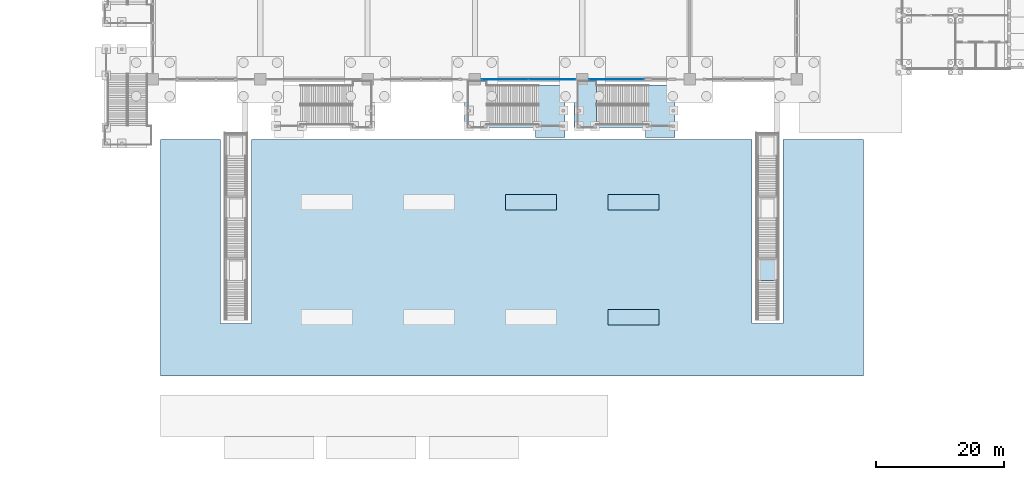
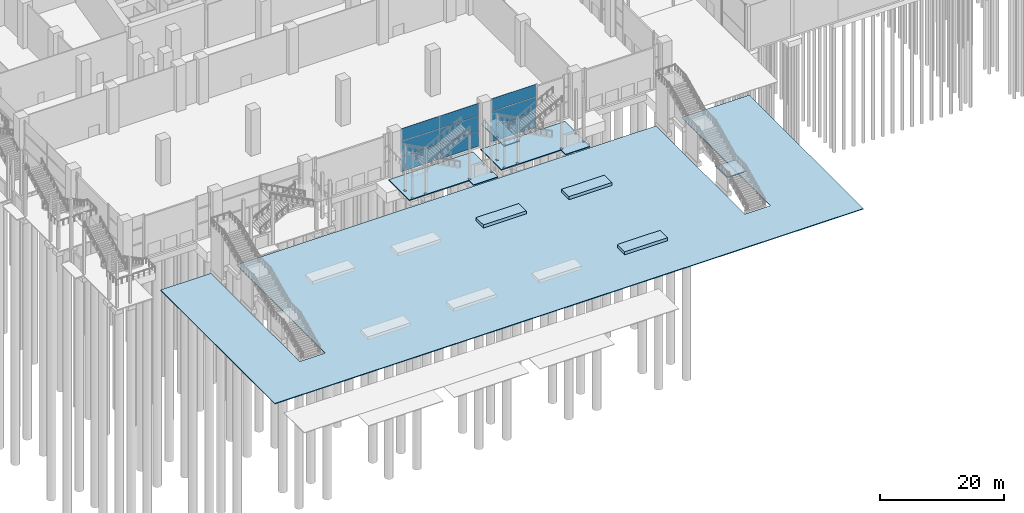
# One storey, part 32 of 72: 9 plates, 8 slabs, 4 elements without a shape of their own.
"""IFC4 building model written with IfcOpenShell, lengths in metres."""

from ifc_helpers import new_model, si_unit, direction, frame, origin, origin_2d, place, context, subcontext, project, spatial, polyline, rectangle, outline, extrude, material, layer, layer_set, type_object, element, aggregate, save


model = new_model("IFC4")

# Units and contexts
model_context = context("Model", 3, precision=1e-05, world=origin(), true_north=direction((0.0, 1.0)))
body_context = subcontext(model_context, "Body", "Model", "MODEL_VIEW")
ifc_project = project(units=[si_unit("LENGTHUNIT", "METRE"), si_unit("AREAUNIT", "SQUARE_METRE"), si_unit("VOLUMEUNIT", "CUBIC_METRE"), si_unit("PLANEANGLEUNIT", "RADIAN"), si_unit("MASSUNIT", "GRAM", prefix="KILO")], contexts=[model_context])

# Site, building, storey
site_placement = place(None, origin())
site = spatial("IfcSite", under=ifc_project, at=site_placement, CompositionType="ELEMENT")
building_placement = place(site_placement, origin())
building = spatial("IfcBuilding", under=site, at=building_placement, Name="Candeia Pilgrim Tower and Theatre", CompositionType="ELEMENT")
storey_placement = place(building_placement, origin())
storey = spatial("IfcBuildingStorey", under=building, at=storey_placement, Name="L00", CompositionType="ELEMENT", Elevation=0.0)

# Curtain wall, plates
ifc_material_1 = material(Name="Aluminium framed podium glazing", Category="aluminium")
curtain_wall_type = type_object("IfcCurtainWallType", Name="CW-P curtain wall", PredefinedType="NOTDEFINED", material=ifc_material_1)
curtain_wall_1_placement = place(storey_placement, origin())
curtain_wall_1 = element("IfcCurtainWall", 1, at=curtain_wall_1_placement, inside=storey, type_object=curtain_wall_type, Name="Curtain wall CW-P L00.311", PredefinedType="NOTDEFINED")
ifc_material_2 = material(Name="Laminated low-iron glass 2 x 8 mm", Category="glass")
ifc_layer_1 = layer(ifc_material_2, 0.035888671875)
ifc_layer_set_1 = layer_set([ifc_layer_1], Name="CW-P glass panel 36")
plate_type = type_object("IfcPlateType", Name="CW-P glass panel 36", PredefinedType="CURTAIN_PANEL", material=ifc_layer_set_1)
plate_1_placement = place(storey_placement, frame((131.35009765625, 64.39990234375, 0.0), z_axis=(0.0, 0.0, 1.0), x_axis=(-1.0, 0.0, 0.0)))
plate_1 = element("IfcPlate", 2, at=plate_1_placement, type_object=plate_type, Name="CW-P panel 1.1", PredefinedType="CURTAIN_PANEL", context=body_context, shape_type="SweptSolid", body=[
    extrude(rectangle(XDim=8.52001953125, YDim=0.035888671875, at=origin_2d()), origin(), (0.0, 0.0, 1.0), 2.9599609375),
])
plate_2_placement = place(storey_placement, frame((131.35009765625, 64.39990234375, 3.0400390625), z_axis=(0.0, 0.0, 1.0), x_axis=(-1.0, 0.0, 0.0)))
plate_2 = element("IfcPlate", 3, at=plate_2_placement, type_object=plate_type, Name="CW-P panel 1.2", PredefinedType="CURTAIN_PANEL", context=body_context, shape_type="SweptSolid", body=[
    extrude(rectangle(XDim=8.52001953125, YDim=0.035888671875, at=origin_2d()), origin(), (0.0, 0.0, 1.0), 2.919921875),
])
plate_3_placement = place(storey_placement, frame((131.35009765625, 64.39990234375, 6.0400390625), z_axis=(0.0, 0.0, 1.0), x_axis=(-1.0, 0.0, 0.0)))
plate_3 = element("IfcPlate", 4, at=plate_3_placement, type_object=plate_type, Name="CW-P panel 1.3", PredefinedType="CURTAIN_PANEL", context=body_context, shape_type="SweptSolid", body=[
    extrude(rectangle(XDim=8.52001953125, YDim=0.035888671875, at=origin_2d()), origin(), (0.0, 0.0, 1.0), 2.4599609375),
])
aggregate(curtain_wall_1, [plate_1, plate_2, plate_3])

curtain_wall_2_placement = place(storey_placement, origin())
curtain_wall_2 = element("IfcCurtainWall", 5, at=curtain_wall_2_placement, inside=storey, type_object=curtain_wall_type, Name="Curtain wall CW-P L00.320", PredefinedType="NOTDEFINED")
plate_4_placement = place(storey_placement, frame((121.27490234375, 64.39990234375, 0.0), z_axis=(0.0, 0.0, 1.0), x_axis=(-1.0, 0.0, 0.0)))
plate_4 = element("IfcPlate", 6, at=plate_4_placement, type_object=plate_type, Name="CW-P panel 1.1", PredefinedType="CURTAIN_PANEL", context=body_context, shape_type="SweptSolid", body=[
    extrude(rectangle(XDim=7.27001953125, YDim=0.035888671875, at=origin_2d()), origin(), (0.0, 0.0, 1.0), 2.9599609375),
])
plate_5_placement = place(storey_placement, frame((121.27490234375, 64.39990234375, 3.0400390625), z_axis=(0.0, 0.0, 1.0), x_axis=(-1.0, 0.0, 0.0)))
plate_5 = element("IfcPlate", 7, at=plate_5_placement, type_object=plate_type, Name="CW-P panel 1.2", PredefinedType="CURTAIN_PANEL", context=body_context, shape_type="SweptSolid", body=[
    extrude(rectangle(XDim=7.27001953125, YDim=0.035888671875, at=origin_2d()), origin(), (0.0, 0.0, 1.0), 2.919921875),
])
plate_6_placement = place(storey_placement, frame((121.27490234375, 64.39990234375, 6.0400390625), z_axis=(0.0, 0.0, 1.0), x_axis=(-1.0, 0.0, 0.0)))
plate_6 = element("IfcPlate", 8, at=plate_6_placement, type_object=plate_type, Name="CW-P panel 1.3", PredefinedType="CURTAIN_PANEL", context=body_context, shape_type="SweptSolid", body=[
    extrude(rectangle(XDim=7.27001953125, YDim=0.035888671875, at=origin_2d()), origin(), (0.0, 0.0, 1.0), 2.4599609375),
])
plate_7_placement = place(storey_placement, frame((113.925048828125, 64.39990234375, 0.0), z_axis=(0.0, 0.0, 1.0), x_axis=(-1.0, 0.0, 0.0)))
plate_7 = element("IfcPlate", 9, at=plate_7_placement, type_object=plate_type, Name="CW-P panel 2.1", PredefinedType="CURTAIN_PANEL", context=body_context, shape_type="SweptSolid", body=[
    extrude(rectangle(XDim=7.27001953125, YDim=0.035888671875, at=origin_2d()), origin(), (0.0, 0.0, 1.0), 2.9599609375),
])
plate_8_placement = place(storey_placement, frame((113.925048828125, 64.39990234375, 3.0400390625), z_axis=(0.0, 0.0, 1.0), x_axis=(-1.0, 0.0, 0.0)))
plate_8 = element("IfcPlate", 10, at=plate_8_placement, type_object=plate_type, Name="CW-P panel 2.2", PredefinedType="CURTAIN_PANEL", context=body_context, shape_type="SweptSolid", body=[
    extrude(rectangle(XDim=7.27001953125, YDim=0.035888671875, at=origin_2d()), origin(), (0.0, 0.0, 1.0), 2.919921875),
])
plate_9_placement = place(storey_placement, frame((113.925048828125, 64.39990234375, 6.0400390625), z_axis=(0.0, 0.0, 1.0), x_axis=(-1.0, 0.0, 0.0)))
plate_9 = element("IfcPlate", 11, at=plate_9_placement, type_object=plate_type, Name="CW-P panel 2.3", PredefinedType="CURTAIN_PANEL", context=body_context, shape_type="SweptSolid", body=[
    extrude(rectangle(XDim=7.27001953125, YDim=0.035888671875, at=origin_2d()), origin(), (0.0, 0.0, 1.0), 2.4599609375),
])
aggregate(curtain_wall_2, [plate_4, plate_5, plate_6, plate_7, plate_8, plate_9])

# Stair, slab
ifc_material_3 = material(Name="Concrete C35/45", Category="concrete")
stair_type_1 = type_object("IfcStairType", Name="Garden stair", PredefinedType="STRAIGHT_RUN_STAIR", material=ifc_material_3)
stair_1_placement = place(storey_placement, origin())
stair_1 = element("IfcStair", 12, at=stair_1_placement, inside=storey, type_object=stair_type_1, Name="Garden stair E", PredefinedType="STRAIGHT_RUN_STAIR")
ifc_layer_2 = layer(ifc_material_3, 0.199951171875)
ifc_layer_set_2 = layer_set([ifc_layer_2], Name="Garden stair landing 200")
slab_type_1 = type_object("IfcSlabType", Name="Garden stair landing 200", PredefinedType="LANDING", material=ifc_layer_set_2)
slab_1_placement = place(storey_placement, frame((0.0, 0.0, 2.800048828125)))
slab_1 = element("IfcSlab", 13, at=slab_1_placement, type_object=slab_type_1, Name="GS2 landing 1", PredefinedType="LANDING", context=body_context, shape_type="SweptSolid", body=[
    extrude(outline(polyline([(153.199951171875, 32.9599609375), (156.800048828125, 32.9599609375), (156.800048828125, 36.56005859375), (153.199951171875, 36.56005859375), (153.199951171875, 32.9599609375)])), origin(), (0.0, 0.0, 1.0), 0.199951171875),
])
aggregate(stair_1, [slab_1])

# Slabs
ifc_layer_3 = layer(ifc_material_3, 0.14990234375)
ifc_layer_set_3 = layer_set([ifc_layer_3], Name="Planter")
slab_type_2 = type_object("IfcSlabType", Name="Planter", PredefinedType="FLOOR", material=ifc_layer_set_3)
slab_2_placement = place(storey_placement, origin())
element("IfcSlab", 14, at=slab_2_placement, inside=storey, type_object=slab_type_2, Name="PLANTER 4", PredefinedType="FLOOR", context=body_context, shape_type="SweptSolid", body=[
    extrude(outline(polyline([(130.0, 26.0), (138.0, 26.0), (138.0, 28.39990234375), (130.0, 28.39990234375), (130.0, 26.0)])), origin(), (0.0, 0.0, 1.0), 0.60009765625),
])
slab_3_placement = place(storey_placement, origin())
element("IfcSlab", 15, at=slab_3_placement, inside=storey, type_object=slab_type_2, Name="PLANTER 7", PredefinedType="FLOOR", context=body_context, shape_type="SweptSolid", body=[
    extrude(outline(polyline([(114.0, 44.0), (122.0, 44.0), (122.0, 46.39990234375), (114.0, 46.39990234375), (114.0, 44.0)])), origin(), (0.0, 0.0, 1.0), 0.60009765625),
])
slab_4_placement = place(storey_placement, origin())
element("IfcSlab", 16, at=slab_4_placement, inside=storey, type_object=slab_type_2, Name="PLANTER 8", PredefinedType="FLOOR", context=body_context, shape_type="SweptSolid", body=[
    extrude(outline(polyline([(130.0, 44.0), (138.0, 44.0), (138.0, 46.39990234375), (130.0, 46.39990234375), (130.0, 44.0)])), origin(), (0.0, 0.0, 1.0), 0.60009765625),
])

# Stair, slab
ifc_material_4 = material(Name="Concrete C40/50", Category="concrete")
stair_type_2 = type_object("IfcStairType", Name="ST-EXT external escape stair", PredefinedType="HALF_TURN_STAIR", material=ifc_material_4)
stair_2_placement = place(storey_placement, origin())
stair_2 = element("IfcStair", 17, at=stair_2_placement, inside=storey, type_object=stair_type_2, Name="L00 External escape stair ES16", PredefinedType="HALF_TURN_STAIR")
ifc_layer_4 = layer(ifc_material_4, 0.199951171875)
ifc_layer_set_4 = layer_set([ifc_layer_4], Name="SL-EXT stair landing")
slab_type_3 = type_object("IfcSlabType", Name="SL-EXT stair landing", PredefinedType="LANDING", material=ifc_layer_set_4)
slab_5_placement = place(storey_placement, frame((0.0, 0.0, 4.300048828125)))
slab_5 = element("IfcSlab", 18, at=slab_5_placement, type_object=slab_type_3, Name="L00 External escape stair ES16 landing", PredefinedType="LANDING", context=body_context, shape_type="SweptSolid", body=[
    extrude(outline(polyline([(128.260009765625, 64.199951171875), (125.239990234375, 64.199951171875), (125.239990234375, 56.85009765625), (128.260009765625, 56.85009765625), (128.260009765625, 64.199951171875)]), holes=[polyline([(127.7900390625, 56.89990234375), (128.18994140625, 56.89990234375), (128.18994140625, 57.300048828125), (127.7900390625, 57.300048828125), (127.7900390625, 56.89990234375)]), polyline([(125.2900390625, 56.89990234375), (125.68994140625, 56.89990234375), (125.68994140625, 57.300048828125), (125.2900390625, 57.300048828125), (125.2900390625, 56.89990234375)]), polyline([(125.2900390625, 59.324951171875), (125.68994140625, 59.324951171875), (125.68994140625, 59.72509765625), (125.2900390625, 59.72509765625), (125.2900390625, 59.324951171875)])]), origin(), (0.0, 0.0, 1.0), 0.199951171875),
])
aggregate(stair_2, [slab_5])

# Slabs
ifc_layer_5 = layer(ifc_material_3, 0.14990234375)
ifc_layer_set_5 = layer_set([ifc_layer_5], Name="Site paving slab 150")
slab_type_4 = type_object("IfcSlabType", Name="Site paving slab 150", PredefinedType="USERDEFINED", material=ifc_layer_set_5)
slab_6_placement = place(storey_placement, frame((0.0, 0.0, -0.14990234375)))
element("IfcSlab", 19, at=slab_6_placement, inside=storey, type_object=slab_type_4, Name="PAVING Candeia Garden", ObjectType="PAVING", PredefinedType="USERDEFINED", context=body_context, shape_type="SweptSolid", body=[
    extrude(outline(polyline([(170.0, 18.0), (60.0, 18.0), (60.0, 55.0), (69.39990234375, 55.0), (69.39990234375, 26.239990234375), (74.199951171875, 26.239990234375), (74.199951171875, 55.0), (152.60009765625, 55.0), (152.60009765625, 26.239990234375), (157.39990234375, 26.239990234375), (157.39990234375, 55.0), (170.0, 55.0), (170.0, 18.0)])), origin(), (0.0, 0.0, 1.0), 0.14990234375),
])
ifc_layer_6 = layer(ifc_material_3, 0.199951171875)
ifc_layer_set_6 = layer_set([ifc_layer_6], Name="Stair ground slab 200")
slab_type_5 = type_object("IfcSlabType", Name="Stair ground slab 200", PredefinedType="BASESLAB", material=ifc_layer_set_6)
slab_7_placement = place(storey_placement, frame((0.0, 0.0, -0.199951171875)))
element("IfcSlab", 20, at=slab_7_placement, inside=storey, type_object=slab_type_5, Name="External escape stair ES9 ground slab", PredefinedType="BASESLAB", context=body_context, shape_type="SweptSolid", body=[
    extrude(outline(polyline([(118.699951171875, 55.35009765625), (118.699951171875, 56.85009765625), (107.5400390625, 56.85009765625), (107.5400390625, 63.5), (118.699951171875, 63.5), (119.199951171875, 63.5), (123.300048828125, 63.5), (123.300048828125, 55.35009765625), (118.699951171875, 55.35009765625)]), holes=[polyline([(108.489990234375, 56.89990234375), (108.489990234375, 57.300048828125), (108.090087890625, 57.300048828125), (108.090087890625, 56.89990234375), (108.489990234375, 56.89990234375)]), polyline([(110.590087890625, 56.89990234375), (110.989990234375, 56.89990234375), (110.989990234375, 57.300048828125), (110.590087890625, 57.300048828125), (110.590087890625, 56.89990234375)]), polyline([(118.75, 56.89990234375), (119.14990234375, 56.89990234375), (119.14990234375, 57.300048828125), (118.75, 57.300048828125), (118.75, 56.89990234375)]), polyline([(123.25, 56.89990234375), (123.25, 57.300048828125), (122.85009765625, 57.300048828125), (122.85009765625, 56.89990234375), (123.25, 56.89990234375)]), polyline([(108.090087890625, 59.324951171875), (108.489990234375, 59.324951171875), (108.489990234375, 59.72509765625), (108.090087890625, 59.72509765625), (108.090087890625, 59.324951171875)]), polyline([(122.85009765625, 59.324951171875), (123.25, 59.324951171875), (123.25, 59.72509765625), (122.85009765625, 59.72509765625), (122.85009765625, 59.324951171875)])]), origin(), (0.0, 0.0, 1.0), 0.199951171875),
])
slab_8_placement = place(storey_placement, frame((0.0, 0.0, -0.199951171875)))
element("IfcSlab", 21, at=slab_8_placement, inside=storey, type_object=slab_type_5, Name="External escape stair ES16 ground slab", PredefinedType="BASESLAB", context=body_context, shape_type="SweptSolid", body=[
    extrude(outline(polyline([(135.89990234375, 55.35009765625), (135.89990234375, 56.85009765625), (124.739990234375, 56.85009765625), (124.739990234375, 63.5), (135.89990234375, 63.5), (136.39990234375, 63.5), (140.5, 63.5), (140.5, 55.35009765625), (135.89990234375, 55.35009765625)]), holes=[polyline([(125.68994140625, 56.89990234375), (125.68994140625, 57.300048828125), (125.2900390625, 57.300048828125), (125.2900390625, 56.89990234375), (125.68994140625, 56.89990234375)]), polyline([(127.7900390625, 56.89990234375), (128.18994140625, 56.89990234375), (128.18994140625, 57.300048828125), (127.7900390625, 57.300048828125), (127.7900390625, 56.89990234375)]), polyline([(135.949951171875, 56.89990234375), (136.35009765625, 56.89990234375), (136.35009765625, 57.300048828125), (135.949951171875, 57.300048828125), (135.949951171875, 56.89990234375)]), polyline([(140.449951171875, 56.89990234375), (140.449951171875, 57.300048828125), (140.050048828125, 57.300048828125), (140.050048828125, 56.89990234375), (140.449951171875, 56.89990234375)]), polyline([(125.2900390625, 59.324951171875), (125.68994140625, 59.324951171875), (125.68994140625, 59.72509765625), (125.2900390625, 59.72509765625), (125.2900390625, 59.324951171875)]), polyline([(140.050048828125, 59.324951171875), (140.449951171875, 59.324951171875), (140.449951171875, 59.72509765625), (140.050048828125, 59.72509765625), (140.050048828125, 59.324951171875)])]), origin(), (0.0, 0.0, 1.0), 0.199951171875),
])

save(model, "model.ifc")
